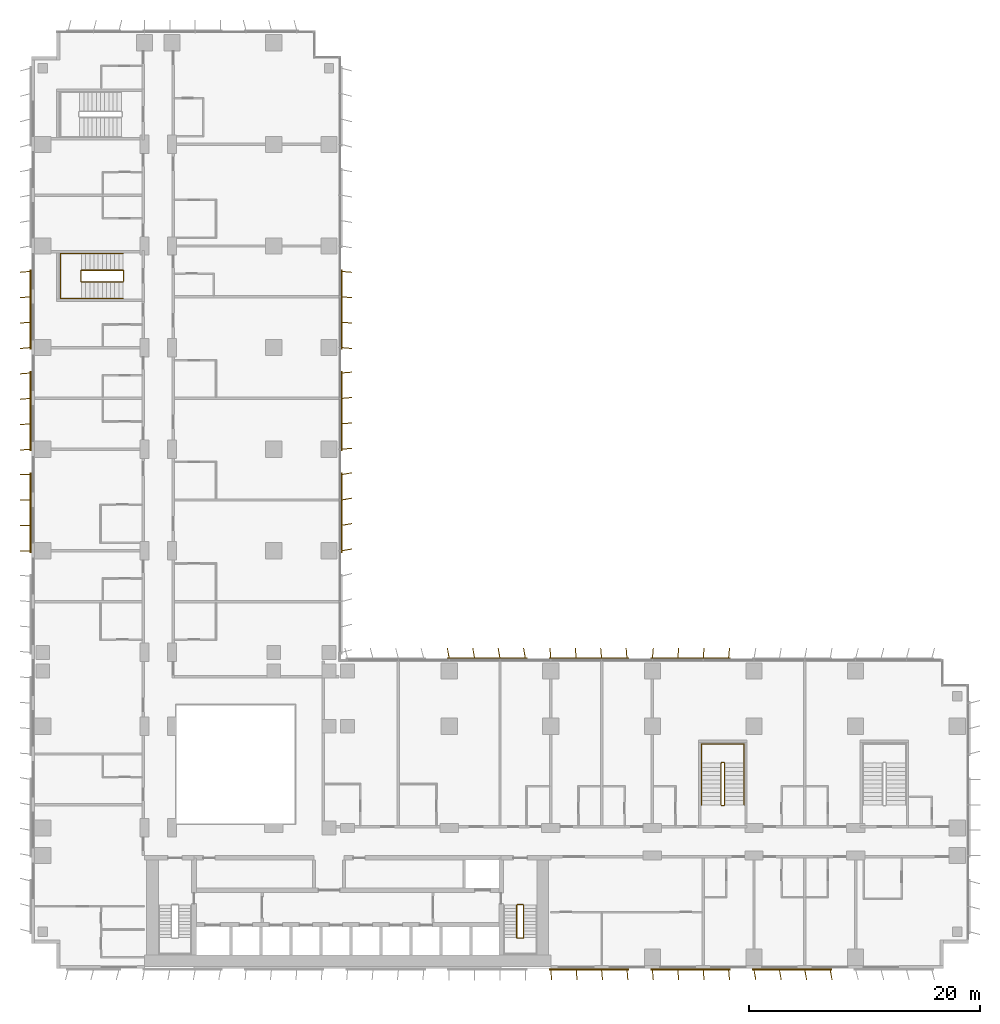
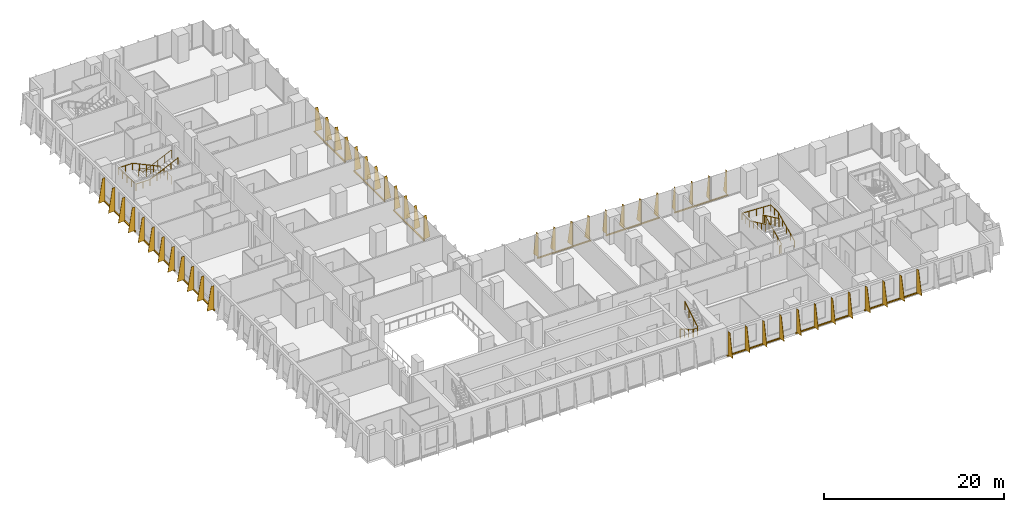
# One storey, part 22 of 24: 12 shading devices, 5 railings.
"""IFC4 building model written with IfcOpenShell, lengths in metres."""

import ifcopenshell
import ifcopenshell.guid

model = None  # the IFC model being written
_history = None  # IfcOwnerHistory: only IFC2X3 demands one
_inside = {}  # id of a spatial element -> (the spatial element, [elements in it])
_under = {}  # id of a project, library or spatial element -> (it, [spatial elements below it])
_declared = {}  # id of a project -> (the project, [libraries it declares])
_typed = {}  # id of a type object -> (the type object, [elements of that type])
_made_of = {}  # id of a material, layer set ... -> (it, [elements and type objects made of it])


def new_model(schema):
    """Start an empty IFC model of exactly this schema.

    Asked for "IFC4X3", IfcOpenShell would pick the latest addendum, in which some entities
    have other attributes; the version numbers below select the first issue.
    IFC2X3 requires an IfcOwnerHistory on every rooted entity: one is made here for all.
    """
    global model, _history
    if schema == "IFC4X3":
        model = ifcopenshell.file(schema_version=(4, 3, 0, 0))
    else:
        model = ifcopenshell.file(schema=schema)
    _inside.clear()
    _under.clear()
    _declared.clear()
    _typed.clear()
    _made_of.clear()
    _history = None
    if model.schema == "IFC2X3":
        org = make("IfcOrganization", Name="unknown")
        user = make(
            "IfcPersonAndOrganization",
            ThePerson=make("IfcPerson", FamilyName="unknown"),
            TheOrganization=org,
        )
        app = make(
            "IfcApplication",
            ApplicationDeveloper=org,
            Version="unknown",
            ApplicationFullName="unknown",
            ApplicationIdentifier="unknown",
        )
        _history = make(
            "IfcOwnerHistory",
            OwningUser=user,
            OwningApplication=app,
            ChangeAction="ADDED",
            CreationDate=0,
        )
    return model


def make(cls, **values):
    """One entity of the class cls with the attributes given. An attribute that is None is left unset."""
    return model.create_entity(
        cls, **{name: value for name, value in values.items() if value is not None}
    )


def rooted(cls, **values):
    """An entity with a GlobalId (a new one), such as an element, a storey or a relation."""
    return make(cls, GlobalId=ifcopenshell.guid.new(), OwnerHistory=_history, **values)


def si_unit(unit_type, name, prefix=None):
    """IfcSIUnit, for example si_unit("LENGTHUNIT", "METRE", prefix="MILLI")."""
    return make("IfcSIUnit", UnitType=unit_type, Prefix=prefix, Name=name)


def assignment(units):
    """IfcUnitAssignment: the units of a project."""
    return None if units is None else make("IfcUnitAssignment", Units=units)


def point(xyz):
    """IfcCartesianPoint."""
    return None if xyz is None else make("IfcCartesianPoint", Coordinates=xyz)


def direction(xyz):
    """IfcDirection."""
    return None if xyz is None else make("IfcDirection", DirectionRatios=xyz)


def frame(location, z_axis=None, x_axis=None):
    """IfcAxis2Placement3D, a coordinate frame: its origin and axes. An axis left out is left unset."""
    return make(
        "IfcAxis2Placement3D",
        Location=point(location),
        Axis=direction(z_axis),
        RefDirection=direction(x_axis),
    )


def frame_2d(location, x_axis=None):
    """IfcAxis2Placement2D, a coordinate frame in the plane: its origin and x axis."""
    return make(
        "IfcAxis2Placement2D", Location=point(location), RefDirection=direction(x_axis)
    )


def origin():
    """The frame at (0, 0, 0) with its axes left unset."""
    return frame((0.0, 0.0, 0.0))


def origin_2d():
    """The frame at (0, 0) in the plane with its x axis left unset."""
    return frame_2d((0.0, 0.0))


def place(relative_to, where):
    """IfcLocalPlacement: puts the frame where relative to a parent placement (None: the world)."""
    return make(
        "IfcLocalPlacement", PlacementRelTo=relative_to, RelativePlacement=where
    )


def context(
    kind, dimensions, precision=None, world=None, true_north=None, identifier=None
):
    """IfcGeometricRepresentationContext, for example the 3D "Model" context."""
    return make(
        "IfcGeometricRepresentationContext",
        ContextIdentifier=identifier,
        ContextType=kind,
        CoordinateSpaceDimension=dimensions,
        Precision=precision,
        WorldCoordinateSystem=world,
        TrueNorth=true_north,
    )


def subcontext(parent, identifier, kind, view, scale=None):
    """IfcGeometricRepresentationSubContext, for example "Body" below "Model"."""
    return make(
        "IfcGeometricRepresentationSubContext",
        ContextIdentifier=identifier,
        ContextType=kind,
        ParentContext=parent,
        TargetScale=scale,
        TargetView=view,
    )


def project(units=None, contexts=None):
    """IfcProject with its units and contexts."""
    return rooted(
        "IfcProject",
        Name="project",
        RepresentationContexts=contexts,
        UnitsInContext=assignment(units),
    )


def spatial(cls, under=None, at=None, **own):
    """A site, building, storey or space (cls), placed at a placement, below another one or the project."""
    s = rooted(cls, ObjectPlacement=at, **own)
    if under is not None:
        _under.setdefault(under.id(), (under, []))[1].append(s)
    return s


def polyline(points):
    """IfcPolyline through the points."""
    return make("IfcPolyline", Points=[point(p) for p in points])


def profile(cls, at=None, kind="AREA", **sizes):
    """A parametric profile (cls). Its sizes go by their IFC names, for example OverallWidth=200.0."""
    return make(cls, ProfileType=kind, Position=at, **sizes)


def rectangle(**sizes):
    """IfcRectangleProfileDef."""
    return profile("IfcRectangleProfileDef", **sizes)


def circle(**sizes):
    """IfcCircleProfileDef."""
    return profile("IfcCircleProfileDef", **sizes)


def outline(outer, holes=None, kind="AREA"):
    """IfcArbitraryClosedProfileDef: a profile drawn as a closed curve; with holes, ...WithVoids."""
    if holes is None:
        return make("IfcArbitraryClosedProfileDef", ProfileType=kind, OuterCurve=outer)
    return make(
        "IfcArbitraryProfileDefWithVoids",
        ProfileType=kind,
        OuterCurve=outer,
        InnerCurves=holes,
    )


def extrude(swept, where, along, depth):
    """IfcExtrudedAreaSolid: the profile swept, set in the frame where, extruded along a direction by depth."""
    return make(
        "IfcExtrudedAreaSolid",
        SweptArea=swept,
        Position=where,
        ExtrudedDirection=direction(along),
        Depth=depth,
    )


def shape(context_of_items, identifier, shape_type, items):
    """IfcShapeRepresentation: the items that make up one representation, for example the "Body"."""
    return make(
        "IfcShapeRepresentation",
        ContextOfItems=context_of_items,
        RepresentationIdentifier=identifier,
        RepresentationType=shape_type,
        Items=items,
    )


def source(mapping_origin, context_of_items, identifier, shape_type, items):
    """IfcRepresentationMap: a shape defined once, which mapped items show again and again."""
    return make(
        "IfcRepresentationMap",
        MappingOrigin=mapping_origin,
        MappedRepresentation=shape(context_of_items, identifier, shape_type, items),
    )


def transform(
    local_origin,
    x_axis=None,
    y_axis=None,
    z_axis=None,
    scale=None,
    scale2=None,
    scale3=None,
    uniform=True,
):
    """IfcCartesianTransformationOperator3D, or its non-uniform kind. x_axis, y_axis, z_axis: its Axis1, 2, 3."""
    if uniform:
        return make(
            "IfcCartesianTransformationOperator3D",
            Axis1=direction(x_axis),
            Axis2=direction(y_axis),
            LocalOrigin=point(local_origin),
            Scale=scale,
            Axis3=direction(z_axis),
        )
    return make(
        "IfcCartesianTransformationOperator3DnonUniform",
        Axis1=direction(x_axis),
        Axis2=direction(y_axis),
        LocalOrigin=point(local_origin),
        Scale=scale,
        Axis3=direction(z_axis),
        Scale2=scale2,
        Scale3=scale3,
    )


def mapped(mapping_source, mapping_target):
    """IfcMappedItem: shows the shape of a source again, moved by a transform."""
    return make(
        "IfcMappedItem", MappingSource=mapping_source, MappingTarget=mapping_target
    )


def material(Name=None, Category=None):
    """IfcMaterial."""
    return make("IfcMaterial", Name=Name, Category=Category)


def layer(
    of_material, thickness, ventilated=None, Name=None, Category=None, Priority=None
):
    """IfcMaterialLayer: one layer of a wall or slab, of a material (None: an air gap)."""
    return make(
        "IfcMaterialLayer",
        Material=of_material,
        LayerThickness=thickness,
        IsVentilated=ventilated,
        Name=Name,
        Category=Category,
        Priority=Priority,
    )


def layer_set(layers, Name=None):
    """IfcMaterialLayerSet."""
    return make("IfcMaterialLayerSet", MaterialLayers=layers, LayerSetName=Name)


def made_of(thing, what):
    """Note that an element or type object is made of a material, layer set ...; save() writes the relation."""
    if what is not None:
        _made_of.setdefault(what.id(), (what, []))[1].append(thing)
    return thing


def type_object(cls, material=None, **own):
    """A type object (cls), such as IfcWallType, which elements share."""
    return made_of(rooted(cls, **own), material)


def element(
    cls,
    number,
    at=None,
    inside=None,
    cuts=None,
    type_object=None,
    material=None,
    context=None,
    identifier="Body",
    shape_type=None,
    held_by="IfcProductDefinitionShape",
    body=None,
    shapes=None,
    **own,
):
    """One element of the class cls, such as IfcWall. Its Tag is "e" and its number.

    at: its placement. inside: the storey or other place that contains it. cuts: it is an
    opening in that element (IfcRelVoidsElement). A single representation is given by context,
    identifier, shape_type and body (its items); several are given by shapes. held_by: the class
    of the entity that holds the representations. save() writes the other relations.
    """
    e = rooted(cls, Tag="e%d" % number, ObjectPlacement=at, **own)
    if body is not None:
        shapes = [shape(context, identifier, shape_type, body)]
    if shapes is not None:
        e.Representation = make(held_by, Representations=shapes)
    if inside is not None:
        _inside.setdefault(inside.id(), (inside, []))[1].append(e)
    if cuts is not None:
        rooted(
            "IfcRelVoidsElement", RelatingBuildingElement=cuts, RelatedOpeningElement=e
        )
    if type_object is not None:
        _typed.setdefault(type_object.id(), (type_object, []))[1].append(e)
    return made_of(e, material)


def aggregate(whole, parts):
    """IfcRelAggregates: a whole, such as a stair, and the parts it consists of."""
    return rooted("IfcRelAggregates", RelatingObject=whole, RelatedObjects=parts)


def save(model, path):
    """Write the relations noted so far, then the file.

    IfcRelAggregates (storeys below a building ...), IfcRelContainedInSpatialStructure (elements
    in a storey), IfcRelDefinesByType, IfcRelAssociatesMaterial and IfcRelDeclares: one each for
    every whole, place, type object, material and project.
    """
    for whole, parts in _under.values():
        aggregate(whole, parts)
    for where, things in _inside.values():
        rooted(
            "IfcRelContainedInSpatialStructure",
            RelatedElements=things,
            RelatingStructure=where,
        )
    for kind, things in _typed.values():
        rooted("IfcRelDefinesByType", RelatedObjects=things, RelatingType=kind)
    for what, things in _made_of.values():
        rooted("IfcRelAssociatesMaterial", RelatedObjects=things, RelatingMaterial=what)
    for by, libraries in _declared.values():
        rooted("IfcRelDeclares", RelatingContext=by, RelatedDefinitions=libraries)
    model.write(path)


model = new_model("IFC4")

# Units and contexts
model_context = context("Model", 3, precision=1e-05, world=origin(), true_north=direction((0.0, 1.0)))
body_context = subcontext(model_context, "Body", "Model", "MODEL_VIEW")
ifc_project = project(units=[si_unit("LENGTHUNIT", "METRE"), si_unit("AREAUNIT", "SQUARE_METRE"), si_unit("VOLUMEUNIT", "CUBIC_METRE"), si_unit("PLANEANGLEUNIT", "RADIAN"), si_unit("MASSUNIT", "GRAM", prefix="KILO")], contexts=[model_context])

# Site, building, storey
site_placement = place(None, origin())
site = spatial("IfcSite", under=ifc_project, at=site_placement, CompositionType="ELEMENT")
building_placement = place(site_placement, origin())
building = spatial("IfcBuilding", under=site, at=building_placement, Name="Kemantara Hotel Tower", CompositionType="ELEMENT")
storey_placement = place(building_placement, frame((0.0, 0.0, 48.800048828125)))
storey = spatial("IfcBuildingStorey", under=building, at=storey_placement, Name="L10", CompositionType="ELEMENT", Elevation=48.800048828125)

# Railings
ifc_material_1 = material(Name="Stainless steel balustrade", Category="steel")
railing_type_1 = type_object("IfcRailingType", Name="Stair guard 1100 mm", PredefinedType="GUARDRAIL", material=ifc_material_1)
railing_1_placement = place(storey_placement, frame((42.64990234375, 5.5, 3.699951171875)))
element("IfcRailing", 1, at=railing_1_placement, inside=storey, type_object=railing_type_1, Name="L10 ST2 stair guard 1", PredefinedType="GUARDRAIL", context=body_context, shape_type="SweptSolid", body=[
    extrude(circle(Radius=0.02392578125, at=origin_2d()), frame((0.0, 0.0, 1.076171875), z_axis=(0.0, -0.857242210791, -0.514913383045), x_axis=(1.0, 0.0, 0.0)), (0.0, 0.0, 1.0), 3.266357421875),
    extrude(circle(Radius=0.02392578125, at=origin_2d()), frame((0.0, -2.800048828125, -0.60595703125), z_axis=(-0.273006030465, -0.27434429532, -0.922064485248), x_axis=(0.708833529934, -0.705375805398, 0.0)), (0.0, 0.0, 1.0), 0.182373046875),
    extrude(circle(Radius=0.02392578125, at=origin_2d()), frame((-0.0498046875, -2.85009765625, -0.77392578125), z_axis=(-1.0, 0.0, 0.0), x_axis=(0.0, -1.0, 0.0)), (0.0, 0.0, 1.0), 0.5),
    extrude(circle(Radius=0.02392578125, at=origin_2d()), frame((-0.5498046875, -2.85009765625, -0.77392578125), z_axis=(-0.707106781187, 0.707106781187, 0.0), x_axis=(-0.707106781187, -0.707106781187, 0.0)), (0.0, 0.0, 1.0), 0.07080078125),
    extrude(circle(Radius=0.02392578125, at=origin_2d()), frame((-0.599853515625, -2.800048828125, -0.77392578125), z_axis=(0.0, 0.857275202839, -0.514858452973), x_axis=(-1.0, 0.0, 0.0)), (0.0, 0.0, 1.0), 3.26611328125),
    extrude(circle(Radius=0.02392578125, at=origin_2d()), frame((-0.599853515625, 0.0, -2.45556640625), z_axis=(0.274243871929, 0.274243871929, -0.92172696468), x_axis=(-0.707106781187, 0.707106781187, 0.0)), (0.0, 0.0, 1.0), 0.1826171875),
    extrude(circle(Radius=0.02392578125, at=origin_2d()), frame((-0.5498046875, 0.050048828125, -2.6240234375), z_axis=(1.0, 0.0, 0.0), x_axis=(0.0, 1.0, 0.0)), (0.0, 0.0, 1.0), 0.5),
    extrude(circle(Radius=0.02099609375, at=origin_2d()), origin(), (0.0, 0.0, 1.0), 1.052001953125),
    extrude(circle(Radius=0.02099609375, at=origin_2d()), frame((0.0, -0.933349609375, -0.560546875)), (0.0, 0.0, 1.0), 1.052001953125),
    extrude(circle(Radius=0.02099609375, at=origin_2d()), frame((0.0, -1.86669921875, -1.121337890625)), (0.0, 0.0, 1.0), 1.052001953125),
    extrude(circle(Radius=0.02099609375, at=origin_2d()), frame((0.0, -2.800048828125, -1.681884765625)), (0.0, 0.0, 1.0), 1.052001953125),
    extrude(circle(Radius=0.02099609375, at=origin_2d()), frame((-0.0498046875, -2.85009765625, -1.85009765625)), (0.0, 0.0, 1.0), 1.052001953125),
    extrude(circle(Radius=0.02099609375, at=origin_2d()), frame((-0.5498046875, -2.85009765625, -1.85009765625)), (0.0, 0.0, 1.0), 1.052001953125),
    extrude(circle(Radius=0.02099609375, at=origin_2d()), frame((-0.599853515625, -2.800048828125, -1.85009765625)), (0.0, 0.0, 1.0), 1.052001953125),
    extrude(circle(Radius=0.02099609375, at=origin_2d()), frame((-0.599853515625, -1.86669921875, -2.41064453125)), (0.0, 0.0, 1.0), 1.052001953125),
    extrude(circle(Radius=0.02099609375, at=origin_2d()), frame((-0.599853515625, -0.933349609375, -2.97119140625)), (0.0, 0.0, 1.0), 1.052001953125),
    extrude(circle(Radius=0.02099609375, at=origin_2d()), frame((-0.599853515625, 0.0, -3.53173828125)), (0.0, 0.0, 1.0), 1.052001953125),
    extrude(circle(Radius=0.02099609375, at=origin_2d()), frame((-0.5498046875, 0.050048828125, -3.699951171875)), (0.0, 0.0, 1.0), 1.052001953125),
    extrude(circle(Radius=0.02099609375, at=origin_2d()), frame((-0.0498046875, 0.050048828125, -3.699951171875)), (0.0, 0.0, 1.0), 1.052001953125),
])
railing_2_placement = place(storey_placement, frame((59.75, 14.199951171875, 3.699951171875)))
element("IfcRailing", 2, at=railing_2_placement, inside=storey, type_object=railing_type_1, Name="L10 ST3 stair guard 1", PredefinedType="GUARDRAIL", context=body_context, shape_type="SweptSolid", body=[
    extrude(circle(Radius=0.02392578125, at=origin_2d()), frame((0.0, 0.0, 1.076171875), z_axis=(0.0, 0.906005689286, -0.423265508849), x_axis=(-1.0, 0.0, 0.0)), (0.0, 0.0, 1.0), 3.9736328125),
    extrude(circle(Radius=0.02392578125, at=origin_2d()), frame((0.0, 3.60009765625, -0.60595703125), z_axis=(0.274243871929, 0.274243871929, -0.92172696468), x_axis=(-0.707106781187, 0.707106781187, 0.0)), (0.0, 0.0, 1.0), 0.1826171875),
    extrude(circle(Radius=0.02392578125, at=origin_2d()), frame((0.050048828125, 3.650146484375, -0.77392578125), z_axis=(1.0, 0.0, 0.0), x_axis=(0.0, 1.0, 0.0)), (0.0, 0.0, 1.0), 0.199951171875),
    extrude(circle(Radius=0.02392578125, at=origin_2d()), frame((0.25, 3.650146484375, -0.77392578125), z_axis=(0.707106781187, -0.707106781187, 0.0), x_axis=(0.707106781187, 0.707106781187, 0.0)), (0.0, 0.0, 1.0), 0.07080078125),
    extrude(circle(Radius=0.02392578125, at=origin_2d()), frame((0.300048828125, 3.60009765625, -0.77392578125), z_axis=(0.0, -0.906029249863, -0.423215073447), x_axis=(1.0, 0.0, 0.0)), (0.0, 0.0, 1.0), 3.973388671875),
    extrude(circle(Radius=0.02392578125, at=origin_2d()), frame((0.300048828125, 0.0, -2.45556640625), z_axis=(-0.274243871929, -0.274243871929, -0.92172696468), x_axis=(0.707106781187, -0.707106781187, 0.0)), (0.0, 0.0, 1.0), 0.1826171875),
    extrude(circle(Radius=0.02392578125, at=origin_2d()), frame((0.25, -0.050048828125, -2.6240234375), z_axis=(-1.0, 0.0, 0.0), x_axis=(0.0, -1.0, 0.0)), (0.0, 0.0, 1.0), 0.199951171875),
    extrude(circle(Radius=0.02099609375, at=origin_2d()), origin(), (0.0, 0.0, 1.0), 1.052001953125),
    extrude(circle(Radius=0.02099609375, at=origin_2d()), frame((0.0, 0.89990234375, -0.42041015625)), (0.0, 0.0, 1.0), 1.052001953125),
    extrude(circle(Radius=0.02099609375, at=origin_2d()), frame((0.0, 1.800048828125, -0.8408203125)), (0.0, 0.0, 1.0), 1.052001953125),
    extrude(circle(Radius=0.02099609375, at=origin_2d()), frame((0.0, 2.7001953125, -1.261474609375)), (0.0, 0.0, 1.0), 1.052001953125),
    extrude(circle(Radius=0.02099609375, at=origin_2d()), frame((0.0, 3.60009765625, -1.681884765625)), (0.0, 0.0, 1.0), 1.052001953125),
    extrude(circle(Radius=0.02099609375, at=origin_2d()), frame((0.050048828125, 3.650146484375, -1.85009765625)), (0.0, 0.0, 1.0), 1.052001953125),
    extrude(circle(Radius=0.02099609375, at=origin_2d()), frame((0.25, 3.650146484375, -1.85009765625)), (0.0, 0.0, 1.0), 1.052001953125),
    extrude(circle(Radius=0.02099609375, at=origin_2d()), frame((0.300048828125, 3.60009765625, -1.85009765625)), (0.0, 0.0, 1.0), 1.052001953125),
    extrude(circle(Radius=0.02099609375, at=origin_2d()), frame((0.300048828125, 2.7001953125, -2.2705078125)), (0.0, 0.0, 1.0), 1.052001953125),
    extrude(circle(Radius=0.02099609375, at=origin_2d()), frame((0.300048828125, 1.800048828125, -2.69091796875)), (0.0, 0.0, 1.0), 1.052001953125),
    extrude(circle(Radius=0.02099609375, at=origin_2d()), frame((0.300048828125, 0.89990234375, -3.111328125)), (0.0, 0.0, 1.0), 1.052001953125),
    extrude(circle(Radius=0.02099609375, at=origin_2d()), frame((0.300048828125, 0.0, -3.53173828125)), (0.0, 0.0, 1.0), 1.052001953125),
    extrude(circle(Radius=0.02099609375, at=origin_2d()), frame((0.25, -0.050048828125, -3.699951171875)), (0.0, 0.0, 1.0), 1.052001953125),
    extrude(circle(Radius=0.02099609375, at=origin_2d()), frame((0.050048828125, -0.050048828125, -3.699951171875)), (0.0, 0.0, 1.0), 1.052001953125),
])
railing_3_placement = place(storey_placement, frame((7.949951171875, 59.5, 3.699951171875)))
element("IfcRailing", 3, at=railing_3_placement, inside=storey, type_object=railing_type_1, Name="L10 ST4 stair guard 1", PredefinedType="GUARDRAIL", context=body_context, shape_type="SweptSolid", body=[
    extrude(circle(Radius=0.02392578125, at=origin_2d()), frame((0.0, 0.0, 1.076171875), z_axis=(-0.905994681025, 0.0, -0.423289071386), x_axis=(0.0, -1.0, 0.0)), (0.0, 0.0, 1.0), 3.973388671875),
    extrude(circle(Radius=0.02392578125, at=origin_2d()), frame((-3.599853515625, 0.0, -0.60595703125), z_axis=(-0.274243871929, 0.274243871929, -0.92172696468), x_axis=(-0.707106781187, -0.707106781187, 0.0)), (0.0, 0.0, 1.0), 0.1826171875),
    extrude(circle(Radius=0.02392578125, at=origin_2d()), frame((-3.64990234375, 0.050048828125, -0.77392578125), z_axis=(0.0, 1.0, 0.0), x_axis=(-1.0, 0.0, 0.0)), (0.0, 0.0, 1.0), 0.89990234375),
    extrude(circle(Radius=0.02392578125, at=origin_2d()), frame((-3.64990234375, 0.949951171875, -0.77392578125), z_axis=(0.707106781187, 0.707106781187, 0.0), x_axis=(-0.707106781187, 0.707106781187, 0.0)), (0.0, 0.0, 1.0), 0.07080078125),
    extrude(circle(Radius=0.02392578125, at=origin_2d()), frame((-3.599853515625, 1.0, -0.77392578125), z_axis=(0.906018243939, 0.0, -0.423238634402), x_axis=(0.0, 1.0, 0.0)), (0.0, 0.0, 1.0), 3.973388671875),
    extrude(circle(Radius=0.02392578125, at=origin_2d()), frame((0.0, 1.0, -2.45556640625), z_axis=(0.274243871929, -0.274243871929, -0.92172696468), x_axis=(0.707106781187, 0.707106781187, 0.0)), (0.0, 0.0, 1.0), 0.1826171875),
    extrude(circle(Radius=0.02392578125, at=origin_2d()), frame((0.050048828125, 0.949951171875, -2.6240234375), z_axis=(0.0, -1.0, 0.0), x_axis=(1.0, 0.0, 0.0)), (0.0, 0.0, 1.0), 0.89990234375),
    extrude(circle(Radius=0.02099609375, at=origin_2d()), origin(), (0.0, 0.0, 1.0), 1.052001953125),
    extrude(circle(Radius=0.02099609375, at=origin_2d()), frame((-0.89990234375, 0.0, -0.42041015625)), (0.0, 0.0, 1.0), 1.052001953125),
    extrude(circle(Radius=0.02099609375, at=origin_2d()), frame((-1.7998046875, 0.0, -0.8408203125)), (0.0, 0.0, 1.0), 1.052001953125),
    extrude(circle(Radius=0.02099609375, at=origin_2d()), frame((-2.699951171875, 0.0, -1.261474609375)), (0.0, 0.0, 1.0), 1.052001953125),
    extrude(circle(Radius=0.02099609375, at=origin_2d()), frame((-3.599853515625, 0.0, -1.681884765625)), (0.0, 0.0, 1.0), 1.052001953125),
    extrude(circle(Radius=0.02099609375, at=origin_2d()), frame((-3.64990234375, 0.050048828125, -1.85009765625)), (0.0, 0.0, 1.0), 1.052001953125),
    extrude(circle(Radius=0.02099609375, at=origin_2d()), frame((-3.64990234375, 0.949951171875, -1.85009765625)), (0.0, 0.0, 1.0), 1.052001953125),
    extrude(circle(Radius=0.02099609375, at=origin_2d()), frame((-3.599853515625, 1.0, -1.85009765625)), (0.0, 0.0, 1.0), 1.052001953125),
    extrude(circle(Radius=0.02099609375, at=origin_2d()), frame((-2.699951171875, 1.0, -2.2705078125)), (0.0, 0.0, 1.0), 1.052001953125),
    extrude(circle(Radius=0.02099609375, at=origin_2d()), frame((-1.7998046875, 1.0, -2.69091796875)), (0.0, 0.0, 1.0), 1.052001953125),
    extrude(circle(Radius=0.02099609375, at=origin_2d()), frame((-0.89990234375, 1.0, -3.111328125)), (0.0, 0.0, 1.0), 1.052001953125),
    extrude(circle(Radius=0.02099609375, at=origin_2d()), frame((0.0, 1.0, -3.53173828125)), (0.0, 0.0, 1.0), 1.052001953125),
    extrude(circle(Radius=0.02099609375, at=origin_2d()), frame((0.050048828125, 0.949951171875, -3.699951171875)), (0.0, 0.0, 1.0), 1.052001953125),
    extrude(circle(Radius=0.02099609375, at=origin_2d()), frame((0.050048828125, 0.050048828125, -3.699951171875)), (0.0, 0.0, 1.0), 1.052001953125),
])
railing_type_2 = type_object("IfcRailingType", Name="Stair handrail 900 mm", PredefinedType="HANDRAIL", material=ifc_material_1)
railing_4_placement = place(storey_placement, frame((61.75, 14.199951171875, 0.168212890625)))
element("IfcRailing", 4, at=railing_4_placement, inside=storey, type_object=railing_type_2, Name="L10 ST3 stair handrail 1", PredefinedType="HANDRAIL", context=body_context, shape_type="SweptSolid", body=[
    extrude(circle(Radius=0.02392578125, at=origin_2d()), frame((0.0, 0.0, 0.8759765625), z_axis=(0.0, 0.906029249863, 0.423215073447), x_axis=(-1.0, 0.0, 0.0)), (0.0, 0.0, 1.0), 3.973388671875),
    extrude(circle(Radius=0.02392578125, at=origin_2d()), frame((0.0, 3.60009765625, 2.5576171875), z_axis=(0.0, 1.0, 0.0), x_axis=(-1.0, 0.0, 0.0)), (0.0, 0.0, 1.0), 1.679931640625),
    extrude(circle(Radius=0.02392578125, at=origin_2d()), frame((0.0, 5.280029296875, 2.5576171875), z_axis=(-0.998968132438, 0.0, 0.045416631029), x_axis=(0.0, -1.0, 0.0)), (0.0, 0.0, 1.0), 3.703857421875),
    extrude(circle(Radius=0.02392578125, at=origin_2d()), frame((-3.699951171875, 5.280029296875, 2.7255859375), z_axis=(0.0, -1.0, 0.0), x_axis=(1.0, 0.0, 0.0)), (0.0, 0.0, 1.0), 1.679931640625),
    extrude(circle(Radius=0.02392578125, at=origin_2d()), frame((-3.699951171875, 3.60009765625, 2.7255859375), z_axis=(0.0, -0.906005689286, 0.423265508849), x_axis=(1.0, 0.0, 0.0)), (0.0, 0.0, 1.0), 3.9736328125),
    extrude(circle(Radius=0.02099609375, at=origin_2d()), origin(), (0.0, 0.0, 1.0), 0.851806640625),
    extrude(circle(Radius=0.02099609375, at=origin_2d()), frame((0.0, 0.89990234375, 0.42041015625)), (0.0, 0.0, 1.0), 0.851806640625),
    extrude(circle(Radius=0.02099609375, at=origin_2d()), frame((0.0, 1.800048828125, 0.8408203125)), (0.0, 0.0, 1.0), 0.851806640625),
    extrude(circle(Radius=0.02099609375, at=origin_2d()), frame((0.0, 2.7001953125, 1.26123046875)), (0.0, 0.0, 1.0), 0.851806640625),
    extrude(circle(Radius=0.02099609375, at=origin_2d()), frame((0.0, 3.60009765625, 1.681640625)), (0.0, 0.0, 1.0), 0.851806640625),
    extrude(circle(Radius=0.02099609375, at=origin_2d()), frame((0.0, 4.43994140625, 1.681640625)), (0.0, 0.0, 1.0), 0.851806640625),
    extrude(circle(Radius=0.02099609375, at=origin_2d()), frame((0.0, 5.280029296875, 1.681640625)), (0.0, 0.0, 1.0), 0.851806640625),
    extrude(circle(Radius=0.02099609375, at=origin_2d()), frame((-0.925048828125, 5.280029296875, 1.7236328125)), (0.0, 0.0, 1.0), 0.851806640625),
    extrude(circle(Radius=0.02099609375, at=origin_2d()), frame((-1.85009765625, 5.280029296875, 1.765625)), (0.0, 0.0, 1.0), 0.851806640625),
    extrude(circle(Radius=0.02099609375, at=origin_2d()), frame((-2.77490234375, 5.280029296875, 1.807861328125)), (0.0, 0.0, 1.0), 0.851806640625),
    extrude(circle(Radius=0.02099609375, at=origin_2d()), frame((-3.699951171875, 5.280029296875, 1.849853515625)), (0.0, 0.0, 1.0), 0.851806640625),
    extrude(circle(Radius=0.02099609375, at=origin_2d()), frame((-3.699951171875, 4.43994140625, 1.849853515625)), (0.0, 0.0, 1.0), 0.851806640625),
    extrude(circle(Radius=0.02099609375, at=origin_2d()), frame((-3.699951171875, 3.60009765625, 1.849853515625)), (0.0, 0.0, 1.0), 0.851806640625),
    extrude(circle(Radius=0.02099609375, at=origin_2d()), frame((-3.699951171875, 2.7001953125, 2.270263671875)), (0.0, 0.0, 1.0), 0.851806640625),
    extrude(circle(Radius=0.02099609375, at=origin_2d()), frame((-3.699951171875, 1.800048828125, 2.69091796875)), (0.0, 0.0, 1.0), 0.851806640625),
    extrude(circle(Radius=0.02099609375, at=origin_2d()), frame((-3.699951171875, 0.89990234375, 3.111328125)), (0.0, 0.0, 1.0), 0.851806640625),
    extrude(circle(Radius=0.02099609375, at=origin_2d()), frame((-3.699951171875, 0.0, 3.53173828125)), (0.0, 0.0, 1.0), 0.851806640625),
])
railing_5_placement = place(storey_placement, frame((7.949951171875, 61.949951171875, 0.168212890625)))
element("IfcRailing", 5, at=railing_5_placement, inside=storey, type_object=railing_type_2, Name="L10 ST4 stair handrail 1", PredefinedType="HANDRAIL", context=body_context, shape_type="SweptSolid", body=[
    extrude(circle(Radius=0.02392578125, at=origin_2d()), frame((0.0, 0.0, 0.8759765625), z_axis=(-0.906018243939, 0.0, 0.423238634402), x_axis=(0.0, -1.0, 0.0)), (0.0, 0.0, 1.0), 3.973388671875),
    extrude(circle(Radius=0.02392578125, at=origin_2d()), frame((-3.599853515625, 0.0, 2.5576171875), z_axis=(-1.0, 0.0, 0.0), x_axis=(0.0, -1.0, 0.0)), (0.0, 0.0, 1.0), 1.830078125),
    extrude(circle(Radius=0.02392578125, at=origin_2d()), frame((-5.429931640625, 0.0, 2.5576171875), z_axis=(0.0, -0.999071085748, 0.043092523981), x_axis=(1.0, 0.0, 0.0)), (0.0, 0.0, 1.0), 3.903564453125),
    extrude(circle(Radius=0.02392578125, at=origin_2d()), frame((-5.429931640625, -3.89990234375, 2.7255859375), z_axis=(1.0, 0.0, 0.0), x_axis=(0.0, 1.0, 0.0)), (0.0, 0.0, 1.0), 1.830078125),
    extrude(circle(Radius=0.02392578125, at=origin_2d()), frame((-3.599853515625, -3.89990234375, 2.7255859375), z_axis=(0.905994681025, 0.0, 0.423289071386), x_axis=(0.0, 1.0, 0.0)), (0.0, 0.0, 1.0), 3.973388671875),
    extrude(circle(Radius=0.02099609375, at=origin_2d()), origin(), (0.0, 0.0, 1.0), 0.851806640625),
    extrude(circle(Radius=0.02099609375, at=origin_2d()), frame((-0.89990234375, 0.0, 0.42041015625)), (0.0, 0.0, 1.0), 0.851806640625),
    extrude(circle(Radius=0.02099609375, at=origin_2d()), frame((-1.7998046875, 0.0, 0.8408203125)), (0.0, 0.0, 1.0), 0.851806640625),
    extrude(circle(Radius=0.02099609375, at=origin_2d()), frame((-2.699951171875, 0.0, 1.26123046875)), (0.0, 0.0, 1.0), 0.851806640625),
    extrude(circle(Radius=0.02099609375, at=origin_2d()), frame((-3.599853515625, 0.0, 1.681640625)), (0.0, 0.0, 1.0), 0.851806640625),
    extrude(circle(Radius=0.02099609375, at=origin_2d()), frame((-4.514892578125, 0.0, 1.681640625)), (0.0, 0.0, 1.0), 0.851806640625),
    extrude(circle(Radius=0.02099609375, at=origin_2d()), frame((-5.429931640625, 0.0, 1.681640625)), (0.0, 0.0, 1.0), 0.851806640625),
    extrude(circle(Radius=0.02099609375, at=origin_2d()), frame((-5.429931640625, -0.97509765625, 1.7236328125)), (0.0, 0.0, 1.0), 0.851806640625),
    extrude(circle(Radius=0.02099609375, at=origin_2d()), frame((-5.429931640625, -1.949951171875, 1.765625)), (0.0, 0.0, 1.0), 0.851806640625),
    extrude(circle(Radius=0.02099609375, at=origin_2d()), frame((-5.429931640625, -2.9248046875, 1.807861328125)), (0.0, 0.0, 1.0), 0.851806640625),
    extrude(circle(Radius=0.02099609375, at=origin_2d()), frame((-5.429931640625, -3.89990234375, 1.849853515625)), (0.0, 0.0, 1.0), 0.851806640625),
    extrude(circle(Radius=0.02099609375, at=origin_2d()), frame((-4.514892578125, -3.89990234375, 1.849853515625)), (0.0, 0.0, 1.0), 0.851806640625),
    extrude(circle(Radius=0.02099609375, at=origin_2d()), frame((-3.599853515625, -3.89990234375, 1.849853515625)), (0.0, 0.0, 1.0), 0.851806640625),
    extrude(circle(Radius=0.02099609375, at=origin_2d()), frame((-2.699951171875, -3.89990234375, 2.270263671875)), (0.0, 0.0, 1.0), 0.851806640625),
    extrude(circle(Radius=0.02099609375, at=origin_2d()), frame((-1.7998046875, -3.89990234375, 2.69091796875)), (0.0, 0.0, 1.0), 0.851806640625),
    extrude(circle(Radius=0.02099609375, at=origin_2d()), frame((-0.89990234375, -3.89990234375, 3.111328125)), (0.0, 0.0, 1.0), 0.851806640625),
    extrude(circle(Radius=0.02099609375, at=origin_2d()), frame((0.0, -3.89990234375, 3.53173828125)), (0.0, 0.0, 1.0), 0.851806640625),
])

# Shading devices
ifc_material_2 = material(Name="Perforated aluminium plate 4 mm bronze anodised", Category="aluminium")
ifc_layer_1 = layer(ifc_material_2, 0.0400390625)
ifc_layer_set_1 = layer_set([ifc_layer_1], Name="Perforated aluminium plate 4 mm bronze anodised")
shading_device_type_1 = type_object("IfcShadingDeviceType", Name="SCREEN FIN CASSETTE, 4 BLADES AT -5.0 DEG, 3200 HIGH", PredefinedType="USERDEFINED", material=ifc_layer_set_1)
shared_shape_1 = source(origin(), body_context, "Body", "SweptSolid", [
    extrude(rectangle(XDim=6.89990234375, YDim=0.14990234375, at=origin_2d()), frame((3.300048828125, -0.074951171875, -0.14990234375), z_axis=(0.0, 0.0, 1.0), x_axis=(1.0, 0.0, 0.0)), (0.0, 0.0, 1.0), 0.14990234375),
    extrude(outline(polyline([(0.0, 0.0), (0.89990234375, 0.0), (0.35009765625, 3.199951171875), (0.0, 3.199951171875), (0.0, 0.0)])), frame((0.02001953125, -0.07666015625, 0.0), z_axis=(-0.996376129781, 0.085056498884, 0.0), x_axis=(-0.085056498884, -0.996376129781, 0.0)), (0.0, 0.0, 1.0), 0.040283203125),
    extrude(outline(polyline([(0.0, 0.0), (0.89990234375, 0.0), (0.35009765625, 3.199951171875), (0.0, 3.199951171875), (0.0, 0.0)])), frame((2.219970703125, -0.07666015625, 0.0), z_axis=(-0.996331773833, 0.085574508182, 0.0), x_axis=(-0.085574508182, -0.996331773833, 0.0)), (0.0, 0.0, 1.0), 0.0400390625),
    extrude(outline(polyline([(0.0, 0.0), (0.89990234375, 0.0), (0.35009765625, 3.199951171875), (0.0, 3.199951171875), (0.0, 0.0)])), frame((4.419921875, -0.07666015625, 0.0), z_axis=(-0.996331773833, 0.085574508182, 0.0), x_axis=(-0.085574508182, -0.996331773833, 0.0)), (0.0, 0.0, 1.0), 0.0400390625),
    extrude(outline(polyline([(0.0, 0.0), (0.89990234375, 0.0), (0.35009765625, 3.199951171875), (0.0, 3.199951171875), (0.0, 0.0)])), frame((6.619873046875, -0.07666015625, 0.0), z_axis=(-0.996331773833, 0.085574508182, 0.0), x_axis=(-0.085574508182, -0.996331773833, 0.0)), (0.0, 0.0, 1.0), 0.0400390625),
])
for number, where, z_axis, x_axis, name in (
    (6, (60.39990234375, 26.800048828125, 0.099853515625), (0.0, 0.0, 1.0), (-1.0, 0.0, 0.0), "SCREEN FIN CASSETTE L10 T1-R07-3"),
    (7, (26.800048828125, 53.800048828125, 0.099853515625), (0.0, 0.0, 1.0), (0.0, 1.0, 0.0), "SCREEN FIN CASSETTE L10 T1-R08-4"),
):
    element("IfcShadingDevice", number, at=place(storey_placement, frame(where, z_axis=z_axis, x_axis=x_axis)), inside=storey, type_object=shading_device_type_1, Name=name, ObjectType="SCREEN FIN", PredefinedType="USERDEFINED", context=body_context, shape_type="MappedRepresentation", body=[
        mapped(shared_shape_1, transform((0.0, 0.0, 0.0))),
    ])
ifc_layer_2 = layer(ifc_material_2, 0.0400390625)
ifc_layer_set_2 = layer_set([ifc_layer_2], Name="Perforated aluminium plate 4 mm bronze anodised")
shading_device_type_2 = type_object("IfcShadingDeviceType", Name="SCREEN FIN CASSETTE, 4 BLADES AT +0.0 DEG, 3200 HIGH", PredefinedType="USERDEFINED", material=ifc_layer_set_2)
shared_shape_2 = source(origin(), body_context, "Body", "SweptSolid", [
    extrude(rectangle(XDim=6.89990234375, YDim=0.14990234375, at=origin_2d()), frame((3.300048828125, -0.074951171875, -0.14990234375), z_axis=(0.0, 0.0, 1.0), x_axis=(1.0, 0.0, 0.0)), (0.0, 0.0, 1.0), 0.14990234375),
    extrude(outline(polyline([(0.0, 0.0), (0.89990234375, 0.0), (0.35009765625, 3.199951171875), (0.0, 3.199951171875), (0.0, 0.0)])), frame((0.02001953125, -0.074951171875, 0.0), z_axis=(-1.0, 0.0, 0.0), x_axis=(0.0, -1.0, 0.0)), (0.0, 0.0, 1.0), 0.0400390625),
    extrude(outline(polyline([(0.0, 0.0), (0.89990234375, 0.0), (0.35009765625, 3.199951171875), (0.0, 3.199951171875), (0.0, 0.0)])), frame((2.219970703125, -0.074951171875, 0.0), z_axis=(-1.0, 0.0, 0.0), x_axis=(0.0, -1.0, 0.0)), (0.0, 0.0, 1.0), 0.0400390625),
    extrude(outline(polyline([(0.0, 0.0), (0.89990234375, 0.0), (0.35009765625, 3.199951171875), (0.0, 3.199951171875), (0.0, 0.0)])), frame((4.419921875, -0.074951171875, 0.0), z_axis=(-1.0, 0.0, 0.0), x_axis=(0.0, -1.0, 0.0)), (0.0, 0.0, 1.0), 0.0400390625),
    extrude(outline(polyline([(0.0, 0.0), (0.89990234375, 0.0), (0.35009765625, 3.199951171875), (0.0, 3.199951171875), (0.0, 0.0)])), frame((6.6201171875, -0.074951171875, 0.0), z_axis=(-1.0, 0.0, 0.0), x_axis=(0.0, -1.0, 0.0)), (0.0, 0.0, 1.0), 0.0400390625),
])
shading_device_placement = place(storey_placement, frame((0.0, 42.800048828125, 0.099853515625), z_axis=(0.0, 0.0, 1.0), x_axis=(0.0, -1.0, 0.0)))
element("IfcShadingDevice", 8, at=shading_device_placement, inside=storey, type_object=shading_device_type_2, Name="SCREEN FIN CASSETTE L10 T1-R14-5", ObjectType="SCREEN FIN", PredefinedType="USERDEFINED", context=body_context, shape_type="MappedRepresentation", body=[
    mapped(shared_shape_2, transform((0.0, 0.0, 0.0))),
])
ifc_layer_3 = layer(ifc_material_2, 0.0400390625)
ifc_layer_set_3 = layer_set([ifc_layer_3], Name="Perforated aluminium plate 4 mm bronze anodised")
shading_device_type_3 = type_object("IfcShadingDeviceType", Name="SCREEN FIN CASSETTE, 4 BLADES AT +5.0 DEG, 3200 HIGH", PredefinedType="USERDEFINED", material=ifc_layer_set_3)
shared_shape_3 = source(origin(), body_context, "Body", "SweptSolid", [
    extrude(rectangle(XDim=6.89990234375, YDim=0.14990234375, at=origin_2d()), frame((3.300048828125, -0.074951171875, -0.14990234375), z_axis=(0.0, 0.0, 1.0), x_axis=(1.0, 0.0, 0.0)), (0.0, 0.0, 1.0), 0.14990234375),
    extrude(outline(polyline([(0.0, 0.0), (0.89990234375, 0.0), (0.35009765625, 3.199951171875), (0.0, 3.199951171875), (0.0, 0.0)])), frame((0.02001953125, -0.0732421875, 0.0), z_axis=(-0.996376129781, -0.085056498884, 0.0), x_axis=(0.085056498884, -0.996376129781, 0.0)), (0.0, 0.0, 1.0), 0.040283203125),
    extrude(outline(polyline([(0.0, 0.0), (0.89990234375, 0.0), (0.35009765625, 3.199951171875), (0.0, 3.199951171875), (0.0, 0.0)])), frame((2.219970703125, -0.0732421875, 0.0), z_axis=(-0.996331773833, -0.085574508182, 0.0), x_axis=(0.085574508182, -0.996331773833, 0.0)), (0.0, 0.0, 1.0), 0.0400390625),
    extrude(outline(polyline([(0.0, 0.0), (0.89990234375, 0.0), (0.35009765625, 3.199951171875), (0.0, 3.199951171875), (0.0, 0.0)])), frame((4.419921875, -0.0732421875, 0.0), z_axis=(-0.996331773833, -0.085574508182, 0.0), x_axis=(0.085574508182, -0.996331773833, 0.0)), (0.0, 0.0, 1.0), 0.0400390625),
    extrude(outline(polyline([(0.0, 0.0), (0.89990234375, 0.0), (0.35009765625, 3.199951171875), (0.0, 3.199951171875), (0.0, 0.0)])), frame((6.619873046875, -0.0732421875, 0.0), z_axis=(-0.996331773833, -0.085574508182, 0.0), x_axis=(0.085574508182, -0.996331773833, 0.0)), (0.0, 0.0, 1.0), 0.0400390625),
])
for number, where, z_axis, x_axis, name in (
    (9, (45.0, 0.0, 0.099853515625), (0.0, 0.0, 1.0), (1.0, 0.0, 0.0), "SCREEN FIN CASSETTE L10 T1-R01-6"),
    (10, (53.800048828125, 0.0, 0.099853515625), (0.0, 0.0, 1.0), (1.0, 0.0, 0.0), "SCREEN FIN CASSETTE L10 T1-R01-7"),
    (11, (51.60009765625, 26.800048828125, 0.099853515625), (0.0, 0.0, 1.0), (-1.0, 0.0, 0.0), "SCREEN FIN CASSETTE L10 T1-R07-4"),
    (12, (26.800048828125, 45.0, 0.099853515625), (0.0, 0.0, 1.0), (0.0, 1.0, 0.0), "SCREEN FIN CASSETTE L10 T1-R08-3"),
    (13, (0.0, 60.39990234375, 0.099853515625), (0.0, 0.0, 1.0), (0.0, -1.0, 0.0), "SCREEN FIN CASSETTE L10 T1-R14-3"),
    (14, (0.0, 51.60009765625, 0.099853515625), (0.0, 0.0, 1.0), (0.0, -1.0, 0.0), "SCREEN FIN CASSETTE L10 T1-R14-4"),
):
    element("IfcShadingDevice", number, at=place(storey_placement, frame(where, z_axis=z_axis, x_axis=x_axis)), inside=storey, type_object=shading_device_type_3, Name=name, ObjectType="SCREEN FIN", PredefinedType="USERDEFINED", context=body_context, shape_type="MappedRepresentation", body=[
        mapped(shared_shape_3, transform((0.0, 0.0, 0.0))),
    ])
ifc_layer_4 = layer(ifc_material_2, 0.0400390625)
ifc_layer_set_4 = layer_set([ifc_layer_4], Name="Perforated aluminium plate 4 mm bronze anodised")
shading_device_type_4 = type_object("IfcShadingDeviceType", Name="SCREEN FIN CASSETTE, 4 BLADES AT +10.0 DEG, 3200 HIGH", PredefinedType="USERDEFINED", material=ifc_layer_set_4)
shared_shape_4 = source(origin(), body_context, "Body", "SweptSolid", [
    extrude(rectangle(XDim=6.89990234375, YDim=0.14990234375, at=origin_2d()), frame((3.300048828125, -0.074951171875, -0.14990234375), z_axis=(0.0, 0.0, 1.0), x_axis=(1.0, 0.0, 0.0)), (0.0, 0.0, 1.0), 0.14990234375),
    extrude(outline(polyline([(0.0, 0.0), (0.89990234375, 0.0), (0.35009765625, 3.199951171875), (0.0, 3.199951171875), (0.0, 0.0)])), frame((0.019775390625, -0.071533203125, 0.0), z_axis=(-0.985389793052, -0.170314285219, 0.0), x_axis=(0.170314285219, -0.985389793052, 0.0)), (0.0, 0.0, 1.0), 0.0400390625),
    extrude(outline(polyline([(0.0, 0.0), (0.89990234375, 0.0), (0.35009765625, 3.199951171875), (0.0, 3.199951171875), (0.0, 0.0)])), frame((2.2197265625, -0.071533203125, 0.0), z_axis=(-0.98521175482, -0.171341174751, 0.0), x_axis=(0.171341174751, -0.98521175482, 0.0)), (0.0, 0.0, 1.0), 0.039794921875),
    extrude(outline(polyline([(0.0, 0.0), (0.89990234375, 0.0), (0.35009765625, 3.199951171875), (0.0, 3.199951171875), (0.0, 0.0)])), frame((4.419677734375, -0.071533203125, 0.0), z_axis=(-0.98521175482, -0.171341174751, 0.0), x_axis=(0.171341174751, -0.98521175482, 0.0)), (0.0, 0.0, 1.0), 0.039794921875),
    extrude(outline(polyline([(0.0, 0.0), (0.89990234375, 0.0), (0.35009765625, 3.199951171875), (0.0, 3.199951171875), (0.0, 0.0)])), frame((6.61962890625, -0.071533203125, 0.0), z_axis=(-0.98521175482, -0.171341174751, 0.0), x_axis=(0.171341174751, -0.98521175482, 0.0)), (0.0, 0.0, 1.0), 0.039794921875),
])
for number, where, z_axis, x_axis, name in (
    (15, (62.60009765625, 0.0, 0.099853515625), (0.0, 0.0, 1.0), (1.0, 0.0, 0.0), "SCREEN FIN CASSETTE L10 T1-R01-8"),
    (16, (42.800048828125, 26.800048828125, 0.099853515625), (0.0, 0.0, 1.0), (-1.0, 0.0, 0.0), "SCREEN FIN CASSETTE L10 T1-R07-5"),
    (17, (26.800048828125, 36.199951171875, 0.099853515625), (0.0, 0.0, 1.0), (0.0, 1.0, 0.0), "SCREEN FIN CASSETTE L10 T1-R08-2"),
):
    element("IfcShadingDevice", number, at=place(storey_placement, frame(where, z_axis=z_axis, x_axis=x_axis)), inside=storey, type_object=shading_device_type_4, Name=name, ObjectType="SCREEN FIN", PredefinedType="USERDEFINED", context=body_context, shape_type="MappedRepresentation", body=[
        mapped(shared_shape_4, transform((0.0, 0.0, 0.0))),
    ])

save(model, "model.ifc")
